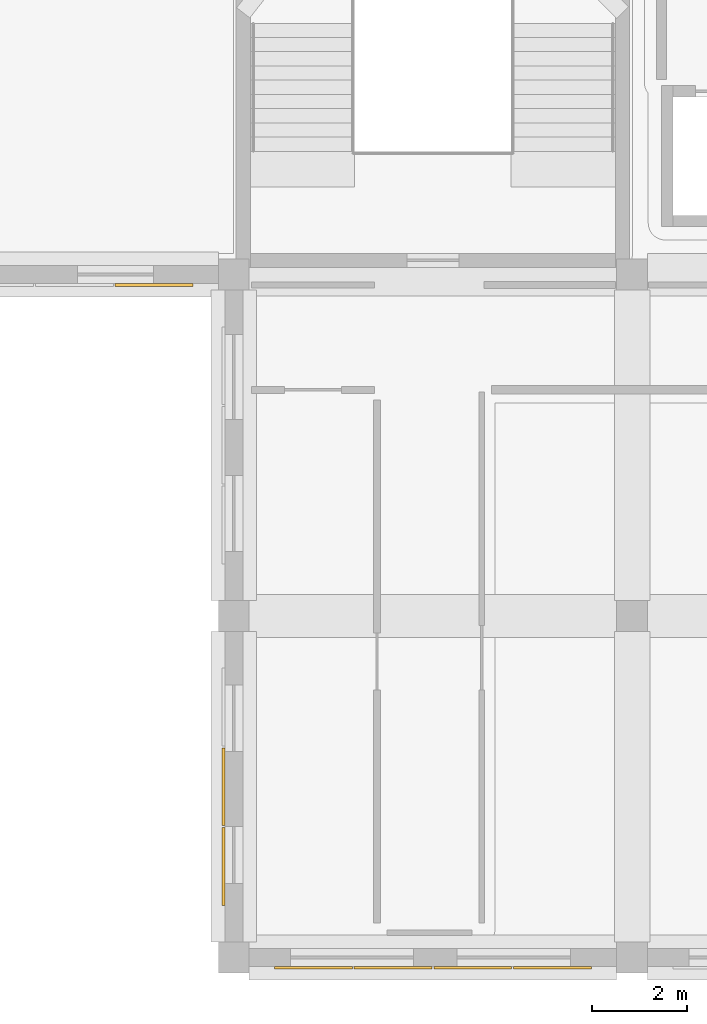
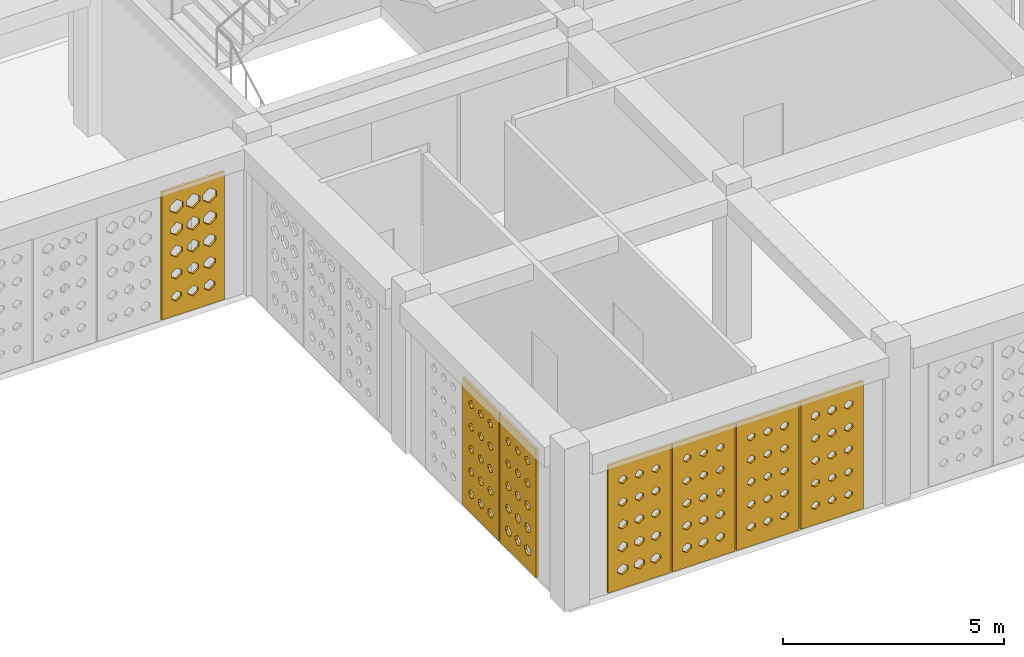
# One storey, part 18 of 47: 7 coverings.
"""IFC4 building model written with IfcOpenShell, lengths in metres."""

import ifcopenshell
import ifcopenshell.guid

model = None  # the IFC model being written
_history = None  # IfcOwnerHistory: only IFC2X3 demands one
_inside = {}  # id of a spatial element -> (the spatial element, [elements in it])
_under = {}  # id of a project, library or spatial element -> (it, [spatial elements below it])
_declared = {}  # id of a project -> (the project, [libraries it declares])
_typed = {}  # id of a type object -> (the type object, [elements of that type])
_made_of = {}  # id of a material, layer set ... -> (it, [elements and type objects made of it])


def new_model(schema):
    """Start an empty IFC model of exactly this schema.

    Asked for "IFC4X3", IfcOpenShell would pick the latest addendum, in which some entities
    have other attributes; the version numbers below select the first issue.
    IFC2X3 requires an IfcOwnerHistory on every rooted entity: one is made here for all.
    """
    global model, _history
    if schema == "IFC4X3":
        model = ifcopenshell.file(schema_version=(4, 3, 0, 0))
    else:
        model = ifcopenshell.file(schema=schema)
    _inside.clear()
    _under.clear()
    _declared.clear()
    _typed.clear()
    _made_of.clear()
    _history = None
    if model.schema == "IFC2X3":
        org = make("IfcOrganization", Name="unknown")
        user = make(
            "IfcPersonAndOrganization",
            ThePerson=make("IfcPerson", FamilyName="unknown"),
            TheOrganization=org,
        )
        app = make(
            "IfcApplication",
            ApplicationDeveloper=org,
            Version="unknown",
            ApplicationFullName="unknown",
            ApplicationIdentifier="unknown",
        )
        _history = make(
            "IfcOwnerHistory",
            OwningUser=user,
            OwningApplication=app,
            ChangeAction="ADDED",
            CreationDate=0,
        )
    return model


def make(cls, **values):
    """One entity of the class cls with the attributes given. An attribute that is None is left unset."""
    return model.create_entity(
        cls, **{name: value for name, value in values.items() if value is not None}
    )


def rooted(cls, **values):
    """An entity with a GlobalId (a new one), such as an element, a storey or a relation."""
    return make(cls, GlobalId=ifcopenshell.guid.new(), OwnerHistory=_history, **values)


def si_unit(unit_type, name, prefix=None):
    """IfcSIUnit, for example si_unit("LENGTHUNIT", "METRE", prefix="MILLI")."""
    return make("IfcSIUnit", UnitType=unit_type, Prefix=prefix, Name=name)


def derived_unit(unit_type, elements):
    """IfcDerivedUnit: a product of units, each with its exponent."""
    return make(
        "IfcDerivedUnit",
        Elements=[
            make("IfcDerivedUnitElement", Unit=unit, Exponent=power)
            for unit, power in elements
        ],
        UnitType=unit_type,
    )


def assignment(units):
    """IfcUnitAssignment: the units of a project."""
    return None if units is None else make("IfcUnitAssignment", Units=units)


def point(xyz):
    """IfcCartesianPoint."""
    return None if xyz is None else make("IfcCartesianPoint", Coordinates=xyz)


def direction(xyz):
    """IfcDirection."""
    return None if xyz is None else make("IfcDirection", DirectionRatios=xyz)


def frame(location, z_axis=None, x_axis=None):
    """IfcAxis2Placement3D, a coordinate frame: its origin and axes. An axis left out is left unset."""
    return make(
        "IfcAxis2Placement3D",
        Location=point(location),
        Axis=direction(z_axis),
        RefDirection=direction(x_axis),
    )


def origin():
    """The frame at (0, 0, 0) with its axes left unset."""
    return frame((0.0, 0.0, 0.0))


def place(relative_to, where):
    """IfcLocalPlacement: puts the frame where relative to a parent placement (None: the world)."""
    return make(
        "IfcLocalPlacement", PlacementRelTo=relative_to, RelativePlacement=where
    )


def context(
    kind, dimensions, precision=None, world=None, true_north=None, identifier=None
):
    """IfcGeometricRepresentationContext, for example the 3D "Model" context."""
    return make(
        "IfcGeometricRepresentationContext",
        ContextIdentifier=identifier,
        ContextType=kind,
        CoordinateSpaceDimension=dimensions,
        Precision=precision,
        WorldCoordinateSystem=world,
        TrueNorth=true_north,
    )


def subcontext(parent, identifier, kind, view, scale=None):
    """IfcGeometricRepresentationSubContext, for example "Body" below "Model"."""
    return make(
        "IfcGeometricRepresentationSubContext",
        ContextIdentifier=identifier,
        ContextType=kind,
        ParentContext=parent,
        TargetScale=scale,
        TargetView=view,
    )


def project(units=None, contexts=None):
    """IfcProject with its units and contexts."""
    return rooted(
        "IfcProject",
        Name="project",
        RepresentationContexts=contexts,
        UnitsInContext=assignment(units),
    )


def spatial(cls, under=None, at=None, **own):
    """A site, building, storey or space (cls), placed at a placement, below another one or the project."""
    s = rooted(cls, ObjectPlacement=at, **own)
    if under is not None:
        _under.setdefault(under.id(), (under, []))[1].append(s)
    return s


def polyline(points):
    """IfcPolyline through the points."""
    return make("IfcPolyline", Points=[point(p) for p in points])


def outline(outer, holes=None, kind="AREA"):
    """IfcArbitraryClosedProfileDef: a profile drawn as a closed curve; with holes, ...WithVoids."""
    if holes is None:
        return make("IfcArbitraryClosedProfileDef", ProfileType=kind, OuterCurve=outer)
    return make(
        "IfcArbitraryProfileDefWithVoids",
        ProfileType=kind,
        OuterCurve=outer,
        InnerCurves=holes,
    )


def extrude(swept, where, along, depth):
    """IfcExtrudedAreaSolid: the profile swept, set in the frame where, extruded along a direction by depth."""
    return make(
        "IfcExtrudedAreaSolid",
        SweptArea=swept,
        Position=where,
        ExtrudedDirection=direction(along),
        Depth=depth,
    )


def shape(context_of_items, identifier, shape_type, items):
    """IfcShapeRepresentation: the items that make up one representation, for example the "Body"."""
    return make(
        "IfcShapeRepresentation",
        ContextOfItems=context_of_items,
        RepresentationIdentifier=identifier,
        RepresentationType=shape_type,
        Items=items,
    )


def material(Name=None, Category=None):
    """IfcMaterial."""
    return make("IfcMaterial", Name=Name, Category=Category)


def layer(
    of_material, thickness, ventilated=None, Name=None, Category=None, Priority=None
):
    """IfcMaterialLayer: one layer of a wall or slab, of a material (None: an air gap)."""
    return make(
        "IfcMaterialLayer",
        Material=of_material,
        LayerThickness=thickness,
        IsVentilated=ventilated,
        Name=Name,
        Category=Category,
        Priority=Priority,
    )


def layer_set(layers, Name=None):
    """IfcMaterialLayerSet."""
    return make("IfcMaterialLayerSet", MaterialLayers=layers, LayerSetName=Name)


def made_of(thing, what):
    """Note that an element or type object is made of a material, layer set ...; save() writes the relation."""
    if what is not None:
        _made_of.setdefault(what.id(), (what, []))[1].append(thing)
    return thing


def type_object(cls, material=None, **own):
    """A type object (cls), such as IfcWallType, which elements share."""
    return made_of(rooted(cls, **own), material)


def element(
    cls,
    number,
    at=None,
    inside=None,
    cuts=None,
    type_object=None,
    material=None,
    context=None,
    identifier="Body",
    shape_type=None,
    held_by="IfcProductDefinitionShape",
    body=None,
    shapes=None,
    **own,
):
    """One element of the class cls, such as IfcWall. Its Tag is "e" and its number.

    at: its placement. inside: the storey or other place that contains it. cuts: it is an
    opening in that element (IfcRelVoidsElement). A single representation is given by context,
    identifier, shape_type and body (its items); several are given by shapes. held_by: the class
    of the entity that holds the representations. save() writes the other relations.
    """
    e = rooted(cls, Tag="e%d" % number, ObjectPlacement=at, **own)
    if body is not None:
        shapes = [shape(context, identifier, shape_type, body)]
    if shapes is not None:
        e.Representation = make(held_by, Representations=shapes)
    if inside is not None:
        _inside.setdefault(inside.id(), (inside, []))[1].append(e)
    if cuts is not None:
        rooted(
            "IfcRelVoidsElement", RelatingBuildingElement=cuts, RelatedOpeningElement=e
        )
    if type_object is not None:
        _typed.setdefault(type_object.id(), (type_object, []))[1].append(e)
    return made_of(e, material)


def aggregate(whole, parts):
    """IfcRelAggregates: a whole, such as a stair, and the parts it consists of."""
    return rooted("IfcRelAggregates", RelatingObject=whole, RelatedObjects=parts)


def save(model, path):
    """Write the relations noted so far, then the file.

    IfcRelAggregates (storeys below a building ...), IfcRelContainedInSpatialStructure (elements
    in a storey), IfcRelDefinesByType, IfcRelAssociatesMaterial and IfcRelDeclares: one each for
    every whole, place, type object, material and project.
    """
    for whole, parts in _under.values():
        aggregate(whole, parts)
    for where, things in _inside.values():
        rooted(
            "IfcRelContainedInSpatialStructure",
            RelatedElements=things,
            RelatingStructure=where,
        )
    for kind, things in _typed.values():
        rooted("IfcRelDefinesByType", RelatedObjects=things, RelatingType=kind)
    for what, things in _made_of.values():
        rooted("IfcRelAssociatesMaterial", RelatedObjects=things, RelatingMaterial=what)
    for by, libraries in _declared.values():
        rooted("IfcRelDeclares", RelatingContext=by, RelatedDefinitions=libraries)
    model.write(path)


model = new_model("IFC4")

# Units and contexts
model_context = context("Model", 3, precision=1e-05, world=origin(), true_north=direction((0.0, 1.0)))
body_context = subcontext(model_context, "Body", "Model", "MODEL_VIEW")
ifc_project = project(units=[si_unit("LENGTHUNIT", "METRE"), si_unit("AREAUNIT", "SQUARE_METRE"), si_unit("VOLUMEUNIT", "CUBIC_METRE"), si_unit("PLANEANGLEUNIT", "RADIAN"), si_unit("MASSUNIT", "GRAM", prefix="KILO"), derived_unit("THERMALTRANSMITTANCEUNIT", [(si_unit("POWERUNIT", "WATT"), 1), (si_unit("LENGTHUNIT", "METRE"), -2), (si_unit("THERMODYNAMICTEMPERATUREUNIT", "KELVIN"), -1)])], contexts=[model_context])

# Site, building, storey
site_placement = place(None, origin())
site = spatial("IfcSite", under=ifc_project, at=site_placement, CompositionType="ELEMENT")
building_placement = place(site_placement, origin())
building = spatial("IfcBuilding", under=site, at=building_placement, Name="Veybourne Emporium", CompositionType="ELEMENT")
storey_placement = place(building_placement, frame((0.0, 0.0, 23.39990234375)))
storey = spatial("IfcBuildingStorey", under=building, at=storey_placement, Name="L05", CompositionType="ELEMENT", Elevation=23.39990234375)

# Coverings
ifc_material = material(Name="Warm-White Perforated Aluminium Screen Alloy", Category="aluminium")
ifc_layer_1 = layer(ifc_material, 0.06005859375)
ifc_layer_set_1 = layer_set([ifc_layer_1], Name="Warm-White Perforated Aluminium Screen Alloy")
covering_type_1 = type_object("IfcCoveringType", Name="WaveScreen_SCR-01", PredefinedType="CLADDING", material=ifc_layer_set_1)
covering_1_placement = place(storey_placement, frame((23.52001953125, -0.248046875, 1.830078125), z_axis=(0.0, 1.0, 0.0), x_axis=(-1.0, 0.0, 0.0)))
element("IfcCovering", 1, at=covering_1_placement, inside=storey, type_object=covering_type_1, Name="L05 wave-perforated aluminium screen SCR-01 (10.1)", PredefinedType="CLADDING", context=body_context, shape_type="SweptSolid", body=[
    extrude(outline(polyline([(-0.81982421875, -1.77001953125), (0.81982421875, -1.77001953125), (0.81982421875, 1.77001953125), (-0.81982421875, 1.77001953125), (-0.81982421875, -1.77001953125)]), holes=[polyline([(-0.433349609375, -1.1298828125), (-0.333251953125, -1.200439453125), (-0.333251953125, -1.279541015625), (-0.433349609375, -1.35009765625), (-0.533203125, -1.279541015625), (-0.533203125, -1.200439453125), (-0.433349609375, -1.1298828125)]), polyline([(-0.433349609375, -0.5087890625), (-0.33251953125, -0.580078125), (-0.33251953125, -0.659912109375), (-0.433349609375, -0.731201171875), (-0.5341796875, -0.659912109375), (-0.5341796875, -0.580078125), (-0.433349609375, -0.5087890625)]), polyline([(-0.433349609375, 0.11474609375), (-0.329345703125, 0.041259765625), (-0.329345703125, -0.041259765625), (-0.433349609375, -0.11474609375), (-0.537109375, -0.041259765625), (-0.537109375, 0.041259765625), (-0.433349609375, 0.11474609375)]), polyline([(-0.433349609375, 0.74072265625), (-0.32470703125, 0.663330078125), (-0.32470703125, 0.57666015625), (-0.433349609375, 0.499267578125), (-0.5419921875, 0.57666015625), (-0.5419921875, 0.663330078125), (-0.433349609375, 0.74072265625)]), polyline([(-0.433349609375, 1.368896484375), (-0.318115234375, 1.286376953125), (-0.318115234375, 1.193603515625), (-0.433349609375, 1.111083984375), (-0.548583984375, 1.193603515625), (-0.548583984375, 1.286376953125), (-0.433349609375, 1.368896484375)]), polyline([(0.0, -1.129638671875), (0.10009765625, -1.2001953125), (0.10009765625, -1.27978515625), (0.0, -1.350341796875), (-0.10009765625, -1.27978515625), (-0.10009765625, -1.2001953125), (0.0, -1.129638671875)]), polyline([(0.0, -0.509765625), (0.100341796875, -0.580322265625), (0.100341796875, -0.65966796875), (0.0, -0.730224609375), (-0.100341796875, -0.65966796875), (-0.100341796875, -0.580322265625), (0.0, -0.509765625)]), polyline([(0.0, 0.11279296875), (0.102294921875, 0.04052734375), (0.102294921875, -0.04052734375), (0.0, -0.11279296875), (-0.102294921875, -0.04052734375), (-0.102294921875, 0.04052734375), (0.0, 0.11279296875)]), polyline([(0.0, 0.73779296875), (0.106201171875, 0.662353515625), (0.106201171875, 0.57763671875), (0.0, 0.502197265625), (-0.106201171875, 0.57763671875), (-0.106201171875, 0.662353515625), (0.0, 0.73779296875)]), polyline([(0.0, 1.364990234375), (0.1123046875, 1.284912109375), (0.1123046875, 1.195068359375), (0.0, 1.114990234375), (-0.1123046875, 1.195068359375), (-0.1123046875, 1.284912109375), (0.0, 1.364990234375)]), polyline([(0.433349609375, -1.12890625), (0.5341796875, -1.199951171875), (0.5341796875, -1.280029296875), (0.433349609375, -1.35107421875), (0.33251953125, -1.280029296875), (0.33251953125, -1.199951171875), (0.433349609375, -1.12890625)]), polyline([(0.433349609375, -0.510009765625), (0.533203125, -0.580322265625), (0.533203125, -0.65966796875), (0.433349609375, -0.72998046875), (0.333251953125, -0.65966796875), (0.333251953125, -0.580322265625), (0.433349609375, -0.510009765625)]), polyline([(0.433349609375, 0.111328125), (0.534423828125, 0.0400390625), (0.534423828125, -0.0400390625), (0.433349609375, -0.111328125), (0.332275390625, -0.0400390625), (0.332275390625, 0.0400390625), (0.433349609375, 0.111328125)]), polyline([(0.433349609375, 0.7353515625), (0.53759765625, 0.66162109375), (0.53759765625, 0.57861328125), (0.433349609375, 0.504638671875), (0.3291015625, 0.57861328125), (0.3291015625, 0.66162109375), (0.433349609375, 0.7353515625)]), polyline([(0.433349609375, 1.361328125), (0.542724609375, 1.28369140625), (0.542724609375, 1.1962890625), (0.433349609375, 1.11865234375), (0.323974609375, 1.1962890625), (0.323974609375, 1.28369140625), (0.433349609375, 1.361328125)])]), origin(), (0.0, 0.0, 1.0), 0.06005859375),
])
ifc_layer_2 = layer(ifc_material, 0.06005859375)
ifc_layer_set_2 = layer_set([ifc_layer_2], Name="Warm-White Perforated Aluminium Screen Alloy")
covering_type_2 = type_object("IfcCoveringType", Name="WaveScreen_SCR-02", PredefinedType="CLADDING", material=ifc_layer_set_2)
covering_2_placement = place(storey_placement, frame((21.840087890625, -0.248046875, 1.830078125), z_axis=(0.0, 1.0, 0.0), x_axis=(-1.0, 0.0, 0.0)))
element("IfcCovering", 2, at=covering_2_placement, inside=storey, type_object=covering_type_2, Name="L05 wave-perforated aluminium screen SCR-02 (10.2)", PredefinedType="CLADDING", context=body_context, shape_type="SweptSolid", body=[
    extrude(outline(polyline([(-0.81982421875, -1.77001953125), (0.81982421875, -1.77001953125), (0.81982421875, 1.77001953125), (-0.81982421875, 1.77001953125), (-0.81982421875, -1.77001953125)]), holes=[polyline([(-0.433349609375, -1.126220703125), (-0.330078125, -1.198974609375), (-0.330078125, -1.281005859375), (-0.433349609375, -1.35400390625), (-0.53662109375, -1.281005859375), (-0.53662109375, -1.198974609375), (-0.433349609375, -1.126220703125)]), polyline([(-0.433349609375, -0.50927734375), (-0.332763671875, -0.580078125), (-0.332763671875, -0.659912109375), (-0.433349609375, -0.730712890625), (-0.533935546875, -0.659912109375), (-0.533935546875, -0.580078125), (-0.433349609375, -0.50927734375)]), polyline([(-0.433349609375, 0.110107421875), (-0.333251953125, 0.03955078125), (-0.333251953125, -0.03955078125), (-0.433349609375, -0.110107421875), (-0.533447265625, -0.03955078125), (-0.533447265625, 0.03955078125), (-0.433349609375, 0.110107421875)]), polyline([(-0.433349609375, 0.73193359375), (-0.331787109375, 0.660400390625), (-0.331787109375, 0.57958984375), (-0.433349609375, 0.508056640625), (-0.534912109375, 0.57958984375), (-0.534912109375, 0.660400390625), (-0.433349609375, 0.73193359375)]), polyline([(-0.433349609375, 1.356201171875), (-0.328369140625, 1.28173828125), (-0.328369140625, 1.1982421875), (-0.433349609375, 1.123779296875), (-0.538330078125, 1.1982421875), (-0.538330078125, 1.28173828125), (-0.433349609375, 1.356201171875)]), polyline([(0.0, -1.123779296875), (0.10498046875, -1.1982421875), (0.10498046875, -1.28173828125), (0.0, -1.356201171875), (-0.10498046875, -1.28173828125), (-0.10498046875, -1.1982421875), (0.0, -1.123779296875)]), polyline([(0.0, -0.508056640625), (0.1015625, -0.57958984375), (0.1015625, -0.660400390625), (0.0, -0.73193359375), (-0.1015625, -0.660400390625), (-0.1015625, -0.57958984375), (0.0, -0.508056640625)]), polyline([(0.0, 0.110107421875), (0.10009765625, 0.03955078125), (0.10009765625, -0.03955078125), (0.0, -0.110107421875), (-0.10009765625, -0.03955078125), (-0.10009765625, 0.03955078125), (0.0, 0.110107421875)]), polyline([(0.0, 0.730712890625), (0.1005859375, 0.659912109375), (0.1005859375, 0.580078125), (0.0, 0.50927734375), (-0.1005859375, 0.580078125), (-0.1005859375, 0.659912109375), (0.0, 0.730712890625)]), polyline([(0.0, 1.35400390625), (0.103271484375, 1.281005859375), (0.103271484375, 1.198974609375), (0.0, 1.126220703125), (-0.103271484375, 1.198974609375), (-0.103271484375, 1.281005859375), (0.0, 1.35400390625)]), polyline([(0.433349609375, -1.121337890625), (0.54052734375, -1.197265625), (0.54052734375, -1.28271484375), (0.433349609375, -1.358642578125), (0.326171875, -1.28271484375), (0.326171875, -1.197265625), (0.433349609375, -1.121337890625)]), polyline([(0.433349609375, -0.506591796875), (0.5361328125, -0.5791015625), (0.5361328125, -0.660888671875), (0.433349609375, -0.7333984375), (0.33056640625, -0.660888671875), (0.33056640625, -0.5791015625), (0.433349609375, -0.506591796875)]), polyline([(0.433349609375, 0.110595703125), (0.53369140625, 0.039794921875), (0.53369140625, -0.039794921875), (0.433349609375, -0.110595703125), (0.3330078125, -0.039794921875), (0.3330078125, 0.039794921875), (0.433349609375, 0.110595703125)]), polyline([(0.433349609375, 0.72998046875), (0.533447265625, 0.65966796875), (0.533447265625, 0.580322265625), (0.433349609375, 0.510009765625), (0.333251953125, 0.580322265625), (0.333251953125, 0.65966796875), (0.433349609375, 0.72998046875)]), polyline([(0.433349609375, 1.352294921875), (0.53515625, 1.280517578125), (0.53515625, 1.19970703125), (0.433349609375, 1.127685546875), (0.33154296875, 1.19970703125), (0.33154296875, 1.280517578125), (0.433349609375, 1.352294921875)])]), origin(), (0.0, 0.0, 1.0), 0.06005859375),
])
covering_3_placement = place(storey_placement, frame((16.552001953125, 1.919921875, 1.830078125), z_axis=(1.0, 0.0, 0.0), x_axis=(0.0, 1.0, 0.0)))
element("IfcCovering", 3, at=covering_3_placement, inside=storey, type_object=covering_type_2, Name="L05 wave-perforated aluminium screen SCR-02 (11.1)", PredefinedType="CLADDING", context=body_context, shape_type="SweptSolid", body=[
    extrude(outline(polyline([(-0.81982421875, -1.77001953125), (0.81982421875, -1.77001953125), (0.81982421875, 1.77001953125), (-0.81982421875, 1.77001953125), (-0.81982421875, -1.77001953125)]), holes=[polyline([(-0.433349609375, -1.09033203125), (-0.30078125, -1.18603515625), (-0.30078125, -1.2939453125), (-0.433349609375, -1.3896484375), (-0.56591796875, -1.2939453125), (-0.56591796875, -1.18603515625), (-0.433349609375, -1.09033203125)]), polyline([(-0.433349609375, -0.481689453125), (-0.310302734375, -0.5703125), (-0.310302734375, -0.669921875), (-0.433349609375, -0.75830078125), (-0.556396484375, -0.669921875), (-0.556396484375, -0.5703125), (-0.433349609375, -0.481689453125)]), polyline([(-0.433349609375, 0.12841796875), (-0.318359375, 0.046142578125), (-0.318359375, -0.046142578125), (-0.433349609375, -0.12841796875), (-0.54833984375, -0.046142578125), (-0.54833984375, 0.046142578125), (-0.433349609375, 0.12841796875)]), polyline([(-0.433349609375, 0.740234375), (-0.324951171875, 0.663330078125), (-0.324951171875, 0.57666015625), (-0.433349609375, 0.499755859375), (-0.541748046875, 0.57666015625), (-0.541748046875, 0.663330078125), (-0.433349609375, 0.740234375)]), polyline([(-0.433349609375, 1.3544921875), (-0.32958984375, 1.28125), (-0.32958984375, 1.19873046875), (-0.433349609375, 1.12548828125), (-0.537109375, 1.19873046875), (-0.537109375, 1.28125), (-0.433349609375, 1.3544921875)]), polyline([(0.0, -1.095703125), (0.128173828125, -1.18798828125), (0.128173828125, -1.2919921875), (0.0, -1.384521484375), (-0.128173828125, -1.2919921875), (-0.128173828125, -1.18798828125), (0.0, -1.095703125)]), polyline([(0.0, -0.486572265625), (0.119140625, -0.572021484375), (0.119140625, -0.668212890625), (0.0, -0.75341796875), (-0.119140625, -0.668212890625), (-0.119140625, -0.572021484375), (0.0, -0.486572265625)]), polyline([(0.0, 0.12451171875), (0.11181640625, 0.044921875), (0.11181640625, -0.044921875), (0.0, -0.12451171875), (-0.11181640625, -0.044921875), (-0.11181640625, 0.044921875), (0.0, 0.12451171875)]), polyline([(0.0, 0.7373046875), (0.106201171875, 0.662353515625), (0.106201171875, 0.57763671875), (0.0, 0.502685546875), (-0.106201171875, 0.57763671875), (-0.106201171875, 0.662353515625), (0.0, 0.7373046875)]), polyline([(0.0, 1.3525390625), (0.102294921875, 1.280517578125), (0.102294921875, 1.199462890625), (0.0, 1.12744140625), (-0.102294921875, 1.199462890625), (-0.102294921875, 1.280517578125), (0.0, 1.3525390625)]), polyline([(0.433349609375, -1.1005859375), (0.557373046875, -1.18994140625), (0.557373046875, -1.2900390625), (0.433349609375, -1.37939453125), (0.309326171875, -1.2900390625), (0.309326171875, -1.18994140625), (0.433349609375, -1.1005859375)]), polyline([(0.433349609375, -0.49072265625), (0.549072265625, -0.573486328125), (0.549072265625, -0.66650390625), (0.433349609375, -0.749267578125), (0.317626953125, -0.66650390625), (0.317626953125, -0.573486328125), (0.433349609375, -0.49072265625)]), polyline([(0.433349609375, 0.12109375), (0.54248046875, 0.043701171875), (0.54248046875, -0.043701171875), (0.433349609375, -0.12109375), (0.32421875, -0.043701171875), (0.32421875, 0.043701171875), (0.433349609375, 0.12109375)]), polyline([(0.433349609375, 0.735107421875), (0.537353515625, 0.661376953125), (0.537353515625, 0.57861328125), (0.433349609375, 0.5048828125), (0.329345703125, 0.57861328125), (0.329345703125, 0.661376953125), (0.433349609375, 0.735107421875)]), polyline([(0.433349609375, 1.351318359375), (0.534423828125, 1.280029296875), (0.534423828125, 1.199951171875), (0.433349609375, 1.128662109375), (0.332275390625, 1.199951171875), (0.332275390625, 1.280029296875), (0.433349609375, 1.351318359375)])]), origin(), (0.0, 0.0, 1.0), 0.06005859375),
])
ifc_layer_3 = layer(ifc_material, 0.06005859375)
ifc_layer_set_3 = layer_set([ifc_layer_3], Name="Warm-White Perforated Aluminium Screen Alloy")
covering_type_3 = type_object("IfcCoveringType", Name="WaveScreen_SCR-03", PredefinedType="CLADDING", material=ifc_layer_set_3)
covering_4_placement = place(storey_placement, frame((15.1201171875, 14.15185546875, 1.830078125), z_axis=(0.0, 1.0, 0.0), x_axis=(-1.0, 0.0, 0.0)))
element("IfcCovering", 4, at=covering_4_placement, inside=storey, type_object=covering_type_3, Name="L05 wave-perforated aluminium screen SCR-03 (8.1)", PredefinedType="CLADDING", context=body_context, shape_type="SweptSolid", body=[
    extrude(outline(polyline([(-0.81982421875, -1.77001953125), (0.81982421875, -1.77001953125), (0.81982421875, 1.77001953125), (-0.81982421875, 1.77001953125), (-0.81982421875, -1.77001953125)]), holes=[polyline([(-0.433349609375, -1.0869140625), (-0.298095703125, -1.184814453125), (-0.298095703125, -1.295166015625), (-0.433349609375, -1.393310546875), (-0.568603515625, -1.295166015625), (-0.568603515625, -1.184814453125), (-0.433349609375, -1.0869140625)]), polyline([(-0.433349609375, -0.45361328125), (-0.287353515625, -0.56005859375), (-0.287353515625, -0.679931640625), (-0.433349609375, -0.786376953125), (-0.579345703125, -0.679931640625), (-0.579345703125, -0.56005859375), (-0.433349609375, -0.45361328125)]), polyline([(-0.433349609375, 0.18017578125), (-0.27587890625, 0.06494140625), (-0.27587890625, -0.06494140625), (-0.433349609375, -0.18017578125), (-0.5908203125, -0.06494140625), (-0.5908203125, 0.06494140625), (-0.433349609375, 0.18017578125)]), polyline([(-0.433349609375, 0.814453125), (-0.26416015625, 0.68994140625), (-0.26416015625, 0.550048828125), (-0.433349609375, 0.425537109375), (-0.6025390625, 0.550048828125), (-0.6025390625, 0.68994140625), (-0.433349609375, 0.814453125)]), polyline([(-0.433349609375, 1.44873046875), (-0.252685546875, 1.315185546875), (-0.252685546875, 1.164794921875), (-0.433349609375, 1.03125), (-0.614013671875, 1.164794921875), (-0.614013671875, 1.315185546875), (-0.433349609375, 1.44873046875)]), polyline([(0.0, -1.09228515625), (0.130859375, -1.186767578125), (0.130859375, -1.293212890625), (0.0, -1.3876953125), (-0.130859375, -1.293212890625), (-0.130859375, -1.186767578125), (0.0, -1.09228515625)]), polyline([(0.0, -0.459716796875), (0.14111328125, -0.562255859375), (0.14111328125, -0.677734375), (0.0, -0.7802734375), (-0.14111328125, -0.677734375), (-0.14111328125, -0.562255859375), (0.0, -0.459716796875)]), polyline([(0.0, 0.173828125), (0.15234375, 0.0625), (0.15234375, -0.0625), (0.0, -0.173828125), (-0.15234375, -0.0625), (-0.15234375, 0.0625), (0.0, 0.173828125)]), polyline([(0.0, 0.80810546875), (0.163818359375, 0.687744140625), (0.163818359375, 0.55224609375), (0.0, 0.431884765625), (-0.163818359375, 0.55224609375), (-0.163818359375, 0.687744140625), (0.0, 0.80810546875)]), polyline([(0.0, 1.4423828125), (0.175537109375, 1.312744140625), (0.175537109375, 1.167236328125), (0.0, 1.03759765625), (-0.175537109375, 1.167236328125), (-0.175537109375, 1.312744140625), (0.0, 1.4423828125)]), polyline([(0.433349609375, -1.09765625), (0.559814453125, -1.188720703125), (0.559814453125, -1.291259765625), (0.433349609375, -1.38232421875), (0.306884765625, -1.291259765625), (0.306884765625, -1.188720703125), (0.433349609375, -1.09765625)]), polyline([(0.433349609375, -0.465576171875), (0.569580078125, -0.564453125), (0.569580078125, -0.675537109375), (0.433349609375, -0.7744140625), (0.297119140625, -0.675537109375), (0.297119140625, -0.564453125), (0.433349609375, -0.465576171875)]), polyline([(0.433349609375, 0.167724609375), (0.58056640625, 0.060302734375), (0.58056640625, -0.060302734375), (0.433349609375, -0.167724609375), (0.2861328125, -0.060302734375), (0.2861328125, 0.060302734375), (0.433349609375, 0.167724609375)]), polyline([(0.433349609375, 0.801513671875), (0.591796875, 0.685302734375), (0.591796875, 0.5546875), (0.433349609375, 0.4384765625), (0.274658203125, 0.5546875), (0.274658203125, 0.685302734375), (0.433349609375, 0.801513671875)]), polyline([(0.433349609375, 1.435791015625), (0.603515625, 1.310546875), (0.603515625, 1.16943359375), (0.433349609375, 1.044189453125), (0.262939453125, 1.16943359375), (0.262939453125, 1.310546875), (0.433349609375, 1.435791015625)])]), origin(), (0.0, 0.0, 1.0), 0.06005859375),
])
covering_5_placement = place(storey_placement, frame((20.159912109375, -0.248046875, 1.830078125), z_axis=(0.0, 1.0, 0.0), x_axis=(-1.0, 0.0, 0.0)))
element("IfcCovering", 5, at=covering_5_placement, inside=storey, type_object=covering_type_3, Name="L05 wave-perforated aluminium screen SCR-03 (10.3)", PredefinedType="CLADDING", context=body_context, shape_type="SweptSolid", body=[
    extrude(outline(polyline([(-0.81982421875, -1.77001953125), (0.81982421875, -1.77001953125), (0.81982421875, 1.77001953125), (-0.81982421875, 1.77001953125), (-0.81982421875, -1.77001953125)]), holes=[polyline([(-0.433349609375, -1.114990234375), (-0.321044921875, -1.195068359375), (-0.321044921875, -1.284912109375), (-0.433349609375, -1.364990234375), (-0.54541015625, -1.284912109375), (-0.54541015625, -1.195068359375), (-0.433349609375, -1.114990234375)]), polyline([(-0.433349609375, -0.502197265625), (-0.326904296875, -0.57763671875), (-0.326904296875, -0.662353515625), (-0.433349609375, -0.73779296875), (-0.539794921875, -0.662353515625), (-0.539794921875, -0.57763671875), (-0.433349609375, -0.502197265625)]), polyline([(-0.433349609375, 0.11279296875), (-0.3310546875, 0.04052734375), (-0.3310546875, -0.04052734375), (-0.433349609375, -0.11279296875), (-0.53564453125, -0.04052734375), (-0.53564453125, 0.04052734375), (-0.433349609375, 0.11279296875)]), polyline([(-0.433349609375, 0.730224609375), (-0.3330078125, 0.65966796875), (-0.3330078125, 0.580322265625), (-0.433349609375, 0.509765625), (-0.53369140625, 0.580322265625), (-0.53369140625, 0.65966796875), (-0.433349609375, 0.730224609375)]), polyline([(-0.433349609375, 1.350341796875), (-0.3330078125, 1.27978515625), (-0.3330078125, 1.2001953125), (-0.433349609375, 1.129638671875), (-0.53369140625, 1.2001953125), (-0.53369140625, 1.27978515625), (-0.433349609375, 1.350341796875)]), polyline([(0.0, -1.111083984375), (0.115478515625, -1.193603515625), (0.115478515625, -1.286376953125), (0.0, -1.368896484375), (-0.115478515625, -1.286376953125), (-0.115478515625, -1.193603515625), (0.0, -1.111083984375)]), polyline([(0.0, -0.499267578125), (0.10888671875, -0.576416015625), (0.10888671875, -0.66357421875), (0.0, -0.74072265625), (-0.10888671875, -0.66357421875), (-0.10888671875, -0.576416015625), (0.0, -0.499267578125)]), polyline([(0.0, 0.11474609375), (0.10400390625, 0.041259765625), (0.10400390625, -0.041259765625), (0.0, -0.11474609375), (-0.10400390625, -0.041259765625), (-0.10400390625, 0.041259765625), (0.0, 0.11474609375)]), polyline([(0.0, 0.731201171875), (0.10107421875, 0.659912109375), (0.10107421875, 0.580078125), (0.0, 0.5087890625), (-0.10107421875, 0.580078125), (-0.10107421875, 0.659912109375), (0.0, 0.731201171875)]), polyline([(0.0, 1.35009765625), (0.10009765625, 1.279541015625), (0.10009765625, 1.200439453125), (0.0, 1.1298828125), (-0.10009765625, 1.200439453125), (-0.10009765625, 1.279541015625), (0.0, 1.35009765625)]), polyline([(0.433349609375, -1.10693359375), (0.55224609375, -1.192138671875), (0.55224609375, -1.287841796875), (0.433349609375, -1.373046875), (0.314453125, -1.287841796875), (0.314453125, -1.192138671875), (0.433349609375, -1.10693359375)]), polyline([(0.433349609375, -0.495849609375), (0.544921875, -0.5751953125), (0.544921875, -0.664794921875), (0.433349609375, -0.744140625), (0.32177734375, -0.664794921875), (0.32177734375, -0.5751953125), (0.433349609375, -0.495849609375)]), polyline([(0.433349609375, 0.1171875), (0.539306640625, 0.042236328125), (0.539306640625, -0.042236328125), (0.433349609375, -0.1171875), (0.327392578125, -0.042236328125), (0.327392578125, 0.042236328125), (0.433349609375, 0.1171875)]), polyline([(0.433349609375, 0.732421875), (0.535400390625, 0.660400390625), (0.535400390625, 0.57958984375), (0.433349609375, 0.507568359375), (0.331298828125, 0.57958984375), (0.331298828125, 0.660400390625), (0.433349609375, 0.732421875)]), polyline([(0.433349609375, 1.35009765625), (0.533447265625, 1.27978515625), (0.533447265625, 1.2001953125), (0.433349609375, 1.1298828125), (0.333251953125, 1.2001953125), (0.333251953125, 1.27978515625), (0.433349609375, 1.35009765625)])]), origin(), (0.0, 0.0, 1.0), 0.06005859375),
])
covering_6_placement = place(storey_placement, frame((16.552001953125, 3.60009765625, 1.830078125), z_axis=(1.0, 0.0, 0.0), x_axis=(0.0, 1.0, 0.0)))
element("IfcCovering", 6, at=covering_6_placement, inside=storey, type_object=covering_type_3, Name="L05 wave-perforated aluminium screen SCR-03 (11.2)", PredefinedType="CLADDING", context=body_context, shape_type="SweptSolid", body=[
    extrude(outline(polyline([(-0.81982421875, -1.77001953125), (0.81982421875, -1.77001953125), (0.81982421875, 1.77001953125), (-0.81982421875, 1.77001953125), (-0.81982421875, -1.77001953125)]), holes=[polyline([(-0.433349609375, -1.109375), (-0.31640625, -1.193115234375), (-0.31640625, -1.287109375), (-0.433349609375, -1.37060546875), (-0.55029296875, -1.287109375), (-0.55029296875, -1.193115234375), (-0.433349609375, -1.109375)]), polyline([(-0.433349609375, -0.497802734375), (-0.323486328125, -0.575927734375), (-0.323486328125, -0.6640625), (-0.433349609375, -0.7421875), (-0.543212890625, -0.6640625), (-0.543212890625, -0.575927734375), (-0.433349609375, -0.497802734375)]), polyline([(-0.433349609375, 0.11572265625), (-0.32861328125, 0.041748046875), (-0.32861328125, -0.041748046875), (-0.433349609375, -0.11572265625), (-0.5380859375, -0.041748046875), (-0.5380859375, 0.041748046875), (-0.433349609375, 0.11572265625)]), polyline([(-0.433349609375, 0.731689453125), (-0.331787109375, 0.66015625), (-0.331787109375, 0.579833984375), (-0.433349609375, 0.50830078125), (-0.53466796875, 0.579833984375), (-0.53466796875, 0.66015625), (-0.433349609375, 0.731689453125)]), polyline([(-0.433349609375, 1.35009765625), (-0.333251953125, 1.279541015625), (-0.333251953125, 1.200439453125), (-0.433349609375, 1.1298828125), (-0.533447265625, 1.200439453125), (-0.533447265625, 1.279541015625), (-0.433349609375, 1.35009765625)]), polyline([(0.0, -1.11328125), (0.113525390625, -1.1943359375), (0.113525390625, -1.28564453125), (0.0, -1.36669921875), (-0.113525390625, -1.28564453125), (-0.113525390625, -1.1943359375), (0.0, -1.11328125)]), polyline([(0.0, -0.5009765625), (0.107421875, -0.5771484375), (0.107421875, -0.662841796875), (0.0, -0.739013671875), (-0.107421875, -0.662841796875), (-0.107421875, -0.5771484375), (0.0, -0.5009765625)]), polyline([(0.0, 0.113525390625), (0.10302734375, 0.041015625), (0.10302734375, -0.041015625), (0.0, -0.113525390625), (-0.10302734375, -0.041015625), (-0.10302734375, 0.041015625), (0.0, 0.113525390625)]), polyline([(0.0, 0.730712890625), (0.1005859375, 0.659912109375), (0.1005859375, 0.580078125), (0.0, 0.509521484375), (-0.1005859375, 0.580078125), (-0.1005859375, 0.659912109375), (0.0, 0.730712890625)]), polyline([(0.0, 1.35009765625), (0.10009765625, 1.279541015625), (0.10009765625, 1.200439453125), (0.0, 1.1298828125), (-0.10009765625, 1.200439453125), (-0.10009765625, 1.279541015625), (0.0, 1.35009765625)]), polyline([(0.433349609375, -1.1171875), (0.5439453125, -1.19580078125), (0.5439453125, -1.2841796875), (0.433349609375, -1.36279296875), (0.32275390625, -1.2841796875), (0.32275390625, -1.19580078125), (0.433349609375, -1.1171875)]), polyline([(0.433349609375, -0.503662109375), (0.53857421875, -0.578125), (0.53857421875, -0.661865234375), (0.433349609375, -0.736328125), (0.328125, -0.661865234375), (0.328125, -0.578125), (0.433349609375, -0.503662109375)]), polyline([(0.433349609375, 0.112060546875), (0.534912109375, 0.040283203125), (0.534912109375, -0.040283203125), (0.433349609375, -0.112060546875), (0.331787109375, -0.040283203125), (0.331787109375, 0.040283203125), (0.433349609375, 0.112060546875)]), polyline([(0.433349609375, 0.72998046875), (0.533447265625, 0.65966796875), (0.533447265625, 0.580322265625), (0.433349609375, 0.510009765625), (0.333251953125, 0.580322265625), (0.333251953125, 0.65966796875), (0.433349609375, 0.72998046875)]), polyline([(0.433349609375, 1.3505859375), (0.533935546875, 1.27978515625), (0.533935546875, 1.2001953125), (0.433349609375, 1.12939453125), (0.332763671875, 1.2001953125), (0.332763671875, 1.27978515625), (0.433349609375, 1.3505859375)])]), origin(), (0.0, 0.0, 1.0), 0.06005859375),
])
ifc_layer_4 = layer(ifc_material, 0.06005859375)
ifc_layer_set_4 = layer_set([ifc_layer_4], Name="Warm-White Perforated Aluminium Screen Alloy")
covering_type_4 = type_object("IfcCoveringType", Name="WaveScreen_SCR-04", PredefinedType="CLADDING", material=ifc_layer_set_4)
covering_7_placement = place(storey_placement, frame((18.47998046875, -0.248046875, 1.830078125), z_axis=(0.0, 1.0, 0.0), x_axis=(-1.0, 0.0, 0.0)))
element("IfcCovering", 7, at=covering_7_placement, inside=storey, type_object=covering_type_4, Name="L05 wave-perforated aluminium screen SCR-04 (10.4)", PredefinedType="CLADDING", context=body_context, shape_type="SweptSolid", body=[
    extrude(outline(polyline([(-0.81982421875, -1.77001953125), (0.81982421875, -1.77001953125), (0.81982421875, 1.77001953125), (-0.81982421875, 1.77001953125), (-0.81982421875, -1.77001953125)]), holes=[polyline([(-0.433349609375, -1.097900390625), (-0.30712890625, -1.18896484375), (-0.30712890625, -1.291015625), (-0.433349609375, -1.382080078125), (-0.5595703125, -1.291015625), (-0.5595703125, -1.18896484375), (-0.433349609375, -1.097900390625)]), polyline([(-0.433349609375, -0.48828125), (-0.315673828125, -0.572509765625), (-0.315673828125, -0.66748046875), (-0.433349609375, -0.751708984375), (-0.551025390625, -0.66748046875), (-0.551025390625, -0.572509765625), (-0.433349609375, -0.48828125)]), polyline([(-0.433349609375, 0.122802734375), (-0.32275390625, 0.044189453125), (-0.32275390625, -0.044189453125), (-0.433349609375, -0.122802734375), (-0.5439453125, -0.044189453125), (-0.5439453125, 0.044189453125), (-0.433349609375, 0.122802734375)]), polyline([(-0.433349609375, 0.736328125), (-0.328125, 0.661865234375), (-0.328125, 0.578125), (-0.433349609375, 0.503662109375), (-0.53857421875, 0.578125), (-0.53857421875, 0.661865234375), (-0.433349609375, 0.736328125)]), polyline([(-0.433349609375, 1.35205078125), (-0.331787109375, 1.2802734375), (-0.331787109375, 1.19970703125), (-0.433349609375, 1.1279296875), (-0.534912109375, 1.19970703125), (-0.534912109375, 1.2802734375), (-0.433349609375, 1.35205078125)]), polyline([(0.0, -1.0927734375), (0.130615234375, -1.18701171875), (0.130615234375, -1.29296875), (0.0, -1.38720703125), (-0.130615234375, -1.29296875), (-0.130615234375, -1.18701171875), (0.0, -1.0927734375)]), polyline([(0.0, -0.48388671875), (0.121337890625, -0.571044921875), (0.121337890625, -0.6689453125), (0.0, -0.756103515625), (-0.121337890625, -0.6689453125), (-0.121337890625, -0.571044921875), (0.0, -0.48388671875)]), polyline([(0.0, 0.12646484375), (0.113525390625, 0.04541015625), (0.113525390625, -0.04541015625), (0.0, -0.12646484375), (-0.113525390625, -0.04541015625), (-0.113525390625, 0.04541015625), (0.0, 0.12646484375)]), polyline([(0.0, 0.739013671875), (0.107421875, 0.662841796875), (0.107421875, 0.5771484375), (0.0, 0.5009765625), (-0.107421875, 0.5771484375), (-0.107421875, 0.662841796875), (0.0, 0.739013671875)]), polyline([(0.0, 1.353515625), (0.10302734375, 1.281005859375), (0.10302734375, 1.19921875), (0.0, 1.12646484375), (-0.10302734375, 1.19921875), (-0.10302734375, 1.281005859375), (0.0, 1.353515625)]), polyline([(0.433349609375, -1.087158203125), (0.568359375, -1.18505859375), (0.568359375, -1.294921875), (0.433349609375, -1.392822265625), (0.29833984375, -1.294921875), (0.29833984375, -1.18505859375), (0.433349609375, -1.087158203125)]), polyline([(0.433349609375, -0.47900390625), (0.55859375, -0.5693359375), (0.55859375, -0.670654296875), (0.433349609375, -0.760986328125), (0.30810546875, -0.670654296875), (0.30810546875, -0.5693359375), (0.433349609375, -0.47900390625)]), polyline([(0.433349609375, 0.130615234375), (0.55029296875, 0.047119140625), (0.55029296875, -0.047119140625), (0.433349609375, -0.130615234375), (0.31640625, -0.047119140625), (0.31640625, 0.047119140625), (0.433349609375, 0.130615234375)]), polyline([(0.433349609375, 0.7421875), (0.543212890625, 0.6640625), (0.543212890625, 0.575927734375), (0.433349609375, 0.497802734375), (0.323486328125, 0.575927734375), (0.323486328125, 0.6640625), (0.433349609375, 0.7421875)]), polyline([(0.433349609375, 1.355712890625), (0.5380859375, 1.28173828125), (0.5380859375, 1.1982421875), (0.433349609375, 1.124267578125), (0.32861328125, 1.1982421875), (0.32861328125, 1.28173828125), (0.433349609375, 1.355712890625)])]), origin(), (0.0, 0.0, 1.0), 0.06005859375),
])

save(model, "model.ifc")
